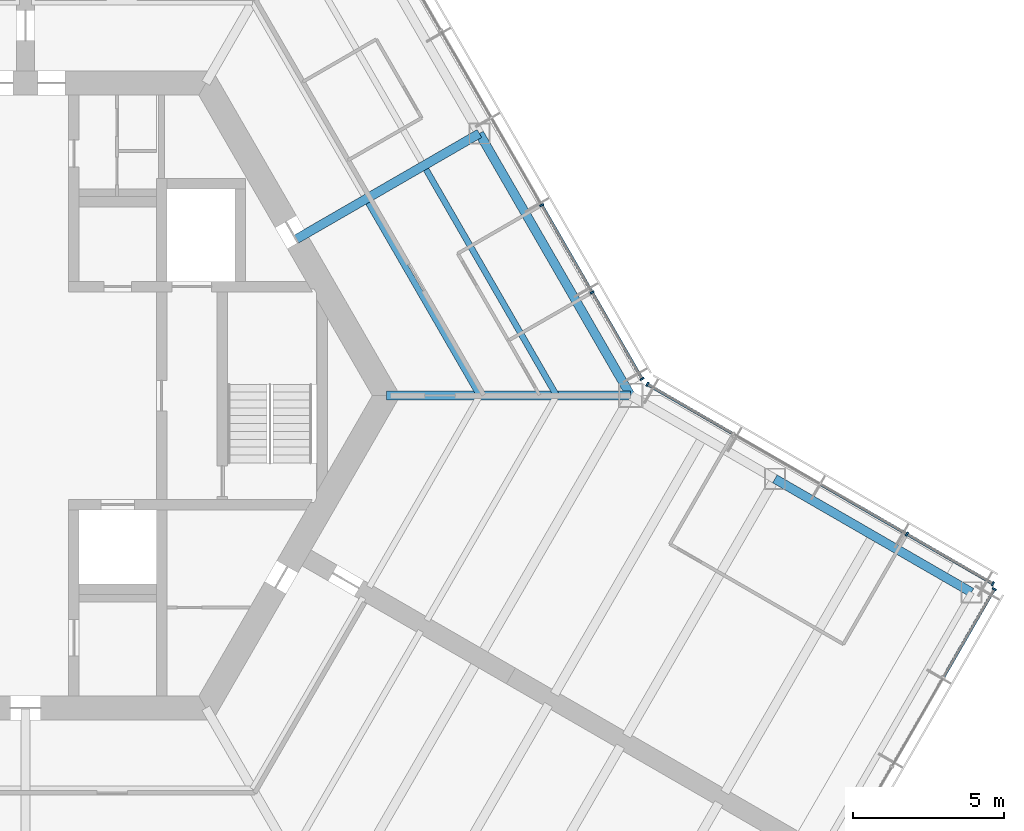
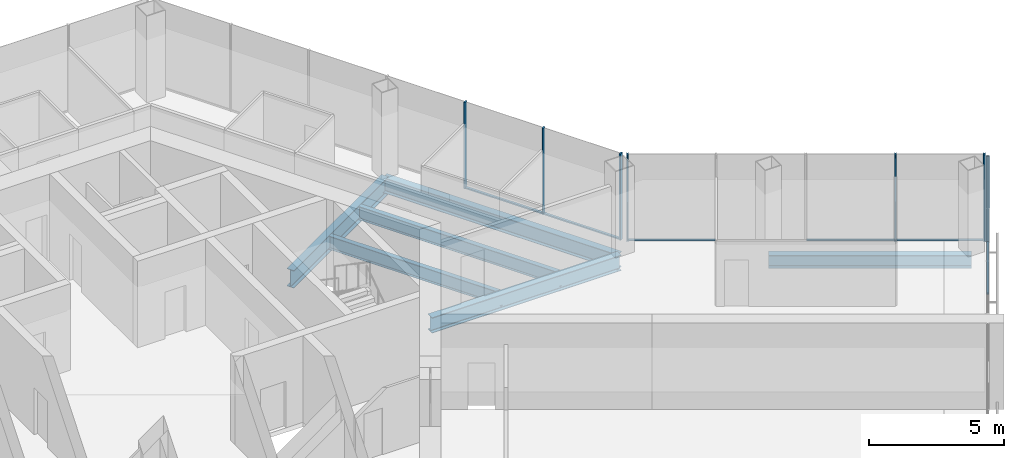
# One storey, part 5 of 15: 13 members, 6 beams, 3 elements without a shape of their own.
"""IFC4 building model written with IfcOpenShell, lengths in metres."""

from ifc_helpers import new_model, si_unit, direction, frame, origin, origin_2d, place, context, subcontext, project, spatial, rectangle, i_section, extrude, material, material_profile, profile_set, type_object, element, aggregate, save


model = new_model("IFC4")

# Units and contexts
model_context = context("Model", 3, precision=1e-05, world=origin(), true_north=direction((0.0, 1.0)))
body_context = subcontext(model_context, "Body", "Model", "MODEL_VIEW")
ifc_project = project(units=[si_unit("LENGTHUNIT", "METRE"), si_unit("AREAUNIT", "SQUARE_METRE"), si_unit("VOLUMEUNIT", "CUBIC_METRE"), si_unit("PLANEANGLEUNIT", "RADIAN"), si_unit("MASSUNIT", "GRAM", prefix="KILO")], contexts=[model_context])

# Site, building, storey
site_placement = place(None, origin())
site = spatial("IfcSite", under=ifc_project, at=site_placement, CompositionType="ELEMENT")
building_placement = place(site_placement, origin())
building = spatial("IfcBuilding", under=site, at=building_placement, Name="Kasaneha Research Tower", CompositionType="ELEMENT")
storey_placement = place(building_placement, frame((0.0, 0.0, 220.60009765625)))
storey = spatial("IfcBuildingStorey", under=building, at=storey_placement, Name="L55", CompositionType="ELEMENT", Elevation=220.60009765625)

# Beams
ifc_material_1 = material(Name="Steel SN490B", Category="steel")
ifc_material_profile_1 = material_profile(ifc_material_1, i_section(OverallWidth=0.199951171875, OverallDepth=0.60009765625, WebThickness=0.010986328125, FlangeThickness=0.01708984375, FilletRadius=0.012939453125, at=origin_2d()), Name="H-600x200x11x17")
ifc_profile_set_1 = profile_set([ifc_material_profile_1], Name="Steel SN490B")
beam_type_1 = type_object("IfcBeamType", Name="B1-3 secondary beam H-600x200x11x17", PredefinedType="JOIST", material=ifc_profile_set_1)
beam_1_placement = place(storey_placement, frame((15.010986328125, 0.0, -0.4501953125), z_axis=(-0.499994443168, 0.866028611999, 0.0), x_axis=(-0.866028611999, -0.499994443168, 0.0)))
element("IfcBeam", 1, at=beam_1_placement, inside=storey, type_object=beam_type_1, Name="Secondary beam RS030L1 L55", PredefinedType="JOIST", context=body_context, shape_type="SweptSolid", body=[
    extrude(i_section(OverallWidth=0.199951171875, OverallDepth=0.60009765625, WebThickness=0.010986328125, FlangeThickness=0.01708984375, FilletRadius=0.012939453125, at=origin_2d()), origin(), (0.0, 0.0, 1.0), 7.35546875),
])
beam_2_placement = place(storey_placement, frame((17.551513671875, 0.0, -0.4501953125), z_axis=(-0.5000050195, 0.866022505755, 0.0), x_axis=(-0.866022505755, -0.5000050195, 0.0)))
element("IfcBeam", 2, at=beam_2_placement, inside=storey, type_object=beam_type_1, Name="Secondary beam RS030L2 L55", PredefinedType="JOIST", context=body_context, shape_type="SweptSolid", body=[
    extrude(i_section(OverallWidth=0.199951171875, OverallDepth=0.60009765625, WebThickness=0.010986328125, FlangeThickness=0.01708984375, FilletRadius=0.012939453125, at=origin_2d()), origin(), (0.0, 0.0, 1.0), 8.6259765625),
])

# Curtain wall, members
ifc_material_2 = material(Name="Glass and aluminium", Category="aluminium")
curtain_wall_type = type_object("IfcCurtainWallType", Name="High-rise office curtain wall", PredefinedType="USERDEFINED", material=ifc_material_2)
curtain_wall_1_placement = place(storey_placement, origin())
curtain_wall_1 = element("IfcCurtainWall", 3, at=curtain_wall_1_placement, inside=storey, type_object=curtain_wall_type, Name="CW-O3 L55 run 01a", ObjectType="UNITISED CURTAIN WALL", PredefinedType="USERDEFINED")
ifc_material_3 = material(Name="Aluminium 6063-T6", Category="aluminium")
ifc_material_profile_2 = material_profile(ifc_material_3, rectangle(XDim=0.06005859375, YDim=0.139892578125, at=origin_2d()), Name="CW-O3 mullion 60x140")
ifc_profile_set_2 = profile_set([ifc_material_profile_2], Name="Aluminium 6063-T6")
member_type_1 = type_object("IfcMemberType", Name="CW-O3 mullion", PredefinedType="MULLION", material=ifc_profile_set_2)
member_1_placement = place(storey_placement, frame((20.374267578125, 0.5517578125, 0.0), z_axis=(0.0, 0.0, 1.0), x_axis=(-0.499999979232, 0.866025415775, 0.0)))
member_1 = element("IfcMember", 4, at=member_1_placement, type_object=member_type_1, Name="CW-O3 mullion 1", PredefinedType="MULLION", context=body_context, shape_type="SweptSolid", body=[
    extrude(rectangle(XDim=0.06005859375, YDim=0.139892578125, at=origin_2d()), origin(), (0.0, 0.0, 1.0), 3.89990234375),
])
member_2_placement = place(storey_placement, frame((18.723876953125, 3.410400390625, 0.0), z_axis=(0.0, 0.0, 1.0), x_axis=(-0.499999979232, 0.866025415775, 0.0)))
member_2 = element("IfcMember", 5, at=member_2_placement, type_object=member_type_1, Name="CW-O3 mullion 2", PredefinedType="MULLION", context=body_context, shape_type="SweptSolid", body=[
    extrude(rectangle(XDim=0.06005859375, YDim=0.139892578125, at=origin_2d()), origin(), (0.0, 0.0, 1.0), 3.89990234375),
])
member_3_placement = place(storey_placement, frame((17.058349609375, 6.295166015625, 0.0), z_axis=(0.0, 0.0, 1.0), x_axis=(-0.499999979232, 0.866025415775, 0.0)))
member_3 = element("IfcMember", 6, at=member_3_placement, type_object=member_type_1, Name="CW-O3 mullion 3", PredefinedType="MULLION", context=body_context, shape_type="SweptSolid", body=[
    extrude(rectangle(XDim=0.06005859375, YDim=0.139892578125, at=origin_2d()), origin(), (0.0, 0.0, 1.0), 3.89990234375),
])

# Curtain wall, member
curtain_wall_2_placement = place(storey_placement, origin())
curtain_wall_2 = element("IfcCurtainWall", 7, at=curtain_wall_2_placement, inside=storey, type_object=curtain_wall_type, Name="CW-O3 L55 run 08a", ObjectType="UNITISED CURTAIN WALL", PredefinedType="USERDEFINED")
member_4_placement = place(storey_placement, frame((32.012939453125, -6.39306640625, 0.0), z_axis=(0.0, 0.0, 1.0), x_axis=(0.500000011442, 0.866025397178, 0.0)))
member_4 = element("IfcMember", 8, at=member_4_placement, type_object=member_type_1, Name="CW-O3 mullion 4", PredefinedType="MULLION", context=body_context, shape_type="SweptSolid", body=[
    extrude(rectangle(XDim=0.06005859375, YDim=0.139892578125, at=origin_2d()), origin(), (0.0, 0.0, 1.0), 3.89990234375),
])

# Curtain wall, members
curtain_wall_3_placement = place(storey_placement, origin())
curtain_wall_3 = element("IfcCurtainWall", 9, at=curtain_wall_3_placement, inside=storey, type_object=curtain_wall_type, Name="CW-O3 L55 run 09a", ObjectType="UNITISED CURTAIN WALL", PredefinedType="USERDEFINED")
member_5_placement = place(storey_placement, frame((31.96533203125, -6.21533203125, 0.0), z_axis=(0.0, 0.0, 1.0), x_axis=(-0.866025411464, 0.499999986699, 0.0)))
member_5 = element("IfcMember", 10, at=member_5_placement, type_object=member_type_1, Name="CW-O3 mullion 1", PredefinedType="MULLION", context=body_context, shape_type="SweptSolid", body=[
    extrude(rectangle(XDim=0.06005859375, YDim=0.139892578125, at=origin_2d()), origin(), (0.0, 0.0, 1.0), 3.89990234375),
])
member_6_placement = place(storey_placement, frame((29.125, -4.575439453125, 0.0), z_axis=(0.0, 0.0, 1.0), x_axis=(-0.866025411464, 0.499999986699, 0.0)))
member_6 = element("IfcMember", 11, at=member_6_placement, type_object=member_type_1, Name="CW-O3 mullion 2", PredefinedType="MULLION", context=body_context, shape_type="SweptSolid", body=[
    extrude(rectangle(XDim=0.06005859375, YDim=0.139892578125, at=origin_2d()), origin(), (0.0, 0.0, 1.0), 3.89990234375),
])
member_7_placement = place(storey_placement, frame((20.5517578125, 0.374267578125, 0.0), z_axis=(0.0, 0.0, 1.0), x_axis=(-0.866025411464, 0.499999986699, 0.0)))
member_7 = element("IfcMember", 12, at=member_7_placement, type_object=member_type_1, Name="CW-O3 mullion 5", PredefinedType="MULLION", context=body_context, shape_type="SweptSolid", body=[
    extrude(rectangle(XDim=0.06005859375, YDim=0.139892578125, at=origin_2d()), origin(), (0.0, 0.0, 1.0), 3.89990234375),
])

# Member
ifc_material_4 = material(Name="Aluminium 6063-T6", Category="aluminium")
ifc_material_profile_3 = material_profile(ifc_material_4, rectangle(XDim=0.10009765625, YDim=0.06005859375, at=origin_2d()), Name="CW-O3 transom 100x60")
ifc_profile_set_3 = profile_set([ifc_material_profile_3], Name="Aluminium 6063-T6")
member_type_2 = type_object("IfcMemberType", Name="CW-O3 transom", PredefinedType="USERDEFINED", material=ifc_profile_set_3)
member_8_placement = place(storey_placement, frame((20.359130859375, 0.577880859375, 0.02978515625), z_axis=(-0.499987643696, 0.866032537582, 0.0), x_axis=(-0.866032537582, -0.499987643696, 0.0)))
member_8 = element("IfcMember", 13, at=member_8_placement, type_object=member_type_2, Name="CW-O3 transom 1", ObjectType="TRANSOM", PredefinedType="USERDEFINED", context=body_context, shape_type="SweptSolid", body=[
    extrude(rectangle(XDim=0.10009765625, YDim=0.06005859375, at=origin_2d()), origin(), (0.0, 0.0, 1.0), 3.24072265625),
])

member_9_placement = place(storey_placement, frame((18.708740234375, 3.4365234375, 0.02978515625), z_axis=(-0.500000270186, 0.866025247793, 0.0), x_axis=(-0.866025247793, -0.500000270186, 0.0)))
member_9 = element("IfcMember", 14, at=member_9_placement, type_object=member_type_2, Name="CW-O3 transom 2", ObjectType="TRANSOM", PredefinedType="USERDEFINED", context=body_context, shape_type="SweptSolid", body=[
    extrude(rectangle(XDim=0.10009765625, YDim=0.06005859375, at=origin_2d()), origin(), (0.0, 0.0, 1.0), 3.27099609375),
])

aggregate(curtain_wall_1, [member_1, member_2, member_3, member_8, member_9])

member_10_placement = place(storey_placement, frame((30.343017578125, -9.285400390625, 0.02978515625), z_axis=(0.500018282537, 0.866014848099, 0.0), x_axis=(-0.866014848099, 0.500018282537, 0.0)))
member_10 = element("IfcMember", 15, at=member_10_placement, type_object=member_type_2, Name="CW-O3 transom 3", ObjectType="TRANSOM", PredefinedType="USERDEFINED", context=body_context, shape_type="SweptSolid", body=[
    extrude(rectangle(XDim=0.10009765625, YDim=0.06005859375, at=origin_2d()), origin(), (0.0, 0.0, 1.0), 3.31005859375),
])

aggregate(curtain_wall_2, [member_4, member_10])

member_11_placement = place(storey_placement, frame((31.939453125, -6.200439453125, 0.02978515625), z_axis=(-0.866041647767, 0.499971863542, 0.0), x_axis=(-0.499971863542, -0.866041647767, 0.0)))
member_11 = element("IfcMember", 16, at=member_11_placement, type_object=member_type_2, Name="CW-O3 transom 1", ObjectType="TRANSOM", PredefinedType="USERDEFINED", context=body_context, shape_type="SweptSolid", body=[
    extrude(rectangle(XDim=0.10009765625, YDim=0.06005859375, at=origin_2d()), origin(), (0.0, 0.0, 1.0), 3.219970703125),
])

member_12_placement = place(storey_placement, frame((29.098876953125, -4.560546875, 0.02978515625), z_axis=(-0.86599666273, 0.500049777664, 0.0), x_axis=(-0.500049777664, -0.86599666273, 0.0)))
member_12 = element("IfcMember", 17, at=member_12_placement, type_object=member_type_2, Name="CW-O3 transom 2", ObjectType="TRANSOM", PredefinedType="USERDEFINED", context=body_context, shape_type="SweptSolid", body=[
    extrude(rectangle(XDim=0.10009765625, YDim=0.06005859375, at=origin_2d()), origin(), (0.0, 0.0, 1.0), 3.249755859375),
])

member_13_placement = place(storey_placement, frame((23.3662109375, -1.250732421875, 0.02978515625), z_axis=(-0.866022692473, 0.500004696101, 0.0), x_axis=(-0.500004696101, -0.866022692473, 0.0)))
member_13 = element("IfcMember", 18, at=member_13_placement, type_object=member_type_2, Name="CW-O3 transom 4", ObjectType="TRANSOM", PredefinedType="USERDEFINED", context=body_context, shape_type="SweptSolid", body=[
    extrude(rectangle(XDim=0.10009765625, YDim=0.06005859375, at=origin_2d()), origin(), (0.0, 0.0, 1.0), 3.2197265625),
])

aggregate(curtain_wall_3, [member_5, member_6, member_7, member_11, member_12, member_13])

# Beams
ifc_material_5 = material(Name="Steel SN490B", Category="steel")
ifc_material_profile_4 = material_profile(ifc_material_5, i_section(OverallWidth=0.300048828125, OverallDepth=0.699951171875, WebThickness=0.012939453125, FlangeThickness=0.02392578125, FilletRadius=0.01806640625, at=origin_2d()), Name="H-700x300x13x24")
ifc_profile_set_4 = profile_set([ifc_material_profile_4], Name="Steel SN490B")
beam_type_2 = type_object("IfcBeamType", Name="G1-3 radial girder H-700x300x13x24", PredefinedType="BEAM", material=ifc_profile_set_4)
beam_3_placement = place(storey_placement, frame((11.92236328125, 0.0, -0.5), z_axis=(1.0, 0.0, 0.0), x_axis=(0.0, 1.0, 0.0)))
element("IfcBeam", 19, at=beam_3_placement, inside=storey, type_object=beam_type_2, Name="Radial girder RV000 L55", PredefinedType="BEAM", context=body_context, shape_type="SweptSolid", body=[
    extrude(i_section(OverallWidth=0.300048828125, OverallDepth=0.699951171875, WebThickness=0.012939453125, FlangeThickness=0.02392578125, FilletRadius=0.01806640625, at=origin_2d()), origin(), (0.0, 0.0, 1.0), 8.07763671875),
])
ifc_material_6 = material(Name="Steel SN490B", Category="steel")
ifc_material_profile_5 = material_profile(ifc_material_6, i_section(OverallWidth=0.300048828125, OverallDepth=0.800048828125, WebThickness=0.013916015625, FlangeThickness=0.02587890625, FilletRadius=0.01806640625, at=origin_2d()), Name="H-800x300x14x26")
ifc_profile_set_5 = profile_set([ifc_material_profile_5], Name="Steel SN490B")
beam_type_3 = type_object("IfcBeamType", Name="G2-3 radial girder H-800x300x14x26", PredefinedType="BEAM", material=ifc_profile_set_5)
beam_4_placement = place(storey_placement, frame((8.941650390625, 5.16259765625, -0.550048828125), z_axis=(0.866039713508, 0.499975214012, 0.0), x_axis=(-0.499975214012, 0.866039713508, 0.0)))
element("IfcBeam", 20, at=beam_4_placement, inside=storey, type_object=beam_type_3, Name="Radial girder RM030 L55", PredefinedType="BEAM", context=body_context, shape_type="SweptSolid", body=[
    extrude(i_section(OverallWidth=0.300048828125, OverallDepth=0.800048828125, WebThickness=0.013916015625, FlangeThickness=0.02587890625, FilletRadius=0.01806640625, at=origin_2d()), origin(), (0.0, 0.0, 1.0), 6.995361328125),
])
ifc_material_7 = material(Name="Steel SN490B", Category="steel")
ifc_material_profile_6 = material_profile(ifc_material_7, i_section(OverallWidth=0.300048828125, OverallDepth=0.69189453125, WebThickness=0.012939453125, FlangeThickness=0.02001953125, FilletRadius=0.01806640625, at=origin_2d()), Name="H-692x300x13x20")
ifc_profile_set_6 = profile_set([ifc_material_profile_6], Name="Steel SN490B")
beam_type_4 = type_object("IfcBeamType", Name="SB1-3 spandrel beam H-692x300x13x20", PredefinedType="SPANDREL", material=ifc_profile_set_6)
beam_5_placement = place(storey_placement, frame((20.0, 0.0, -0.49609375), z_axis=(-0.500004234368, 0.866022959057, 0.0), x_axis=(-0.866022959057, -0.500004234368, 0.0)))
element("IfcBeam", 21, at=beam_5_placement, inside=storey, type_object=beam_type_4, Name="Spandrel beam SR030L L55", PredefinedType="SPANDREL", context=body_context, shape_type="SweptSolid", body=[
    extrude(i_section(OverallWidth=0.300048828125, OverallDepth=0.69189453125, WebThickness=0.012939453125, FlangeThickness=0.02001953125, FilletRadius=0.01806640625, at=origin_2d()), origin(), (0.0, 0.0, 1.0), 10.0),
])
ifc_material_8 = material(Name="Steel SN490B", Category="steel")
ifc_material_profile_7 = material_profile(ifc_material_8, i_section(OverallWidth=0.300048828125, OverallDepth=0.58203125, WebThickness=0.011962890625, FlangeThickness=0.01708984375, FilletRadius=0.012939453125, at=origin_2d()), Name="H-582x300x12x17")
ifc_profile_set_7 = profile_set([ifc_material_profile_7], Name="Steel SN490B")
beam_type_5 = type_object("IfcBeamType", Name="SB2-3 spandrel beam H-582x300x12x17", PredefinedType="SPANDREL", material=ifc_profile_set_7)
beam_6_placement = place(storey_placement, frame((24.76318359375, -2.75, -0.441162109375), z_axis=(0.866022959057, -0.500004234368, 0.0), x_axis=(0.500004234368, 0.866022959057, 0.0)))
element("IfcBeam", 22, at=beam_6_placement, inside=storey, type_object=beam_type_5, Name="Spandrel beam WSCN2 L55", PredefinedType="SPANDREL", context=body_context, shape_type="SweptSolid", body=[
    extrude(i_section(OverallWidth=0.300048828125, OverallDepth=0.58203125, WebThickness=0.011962890625, FlangeThickness=0.01708984375, FilletRadius=0.012939453125, at=origin_2d()), origin(), (0.0, 0.0, 1.0), 7.5),
])

save(model, "model.ifc")
